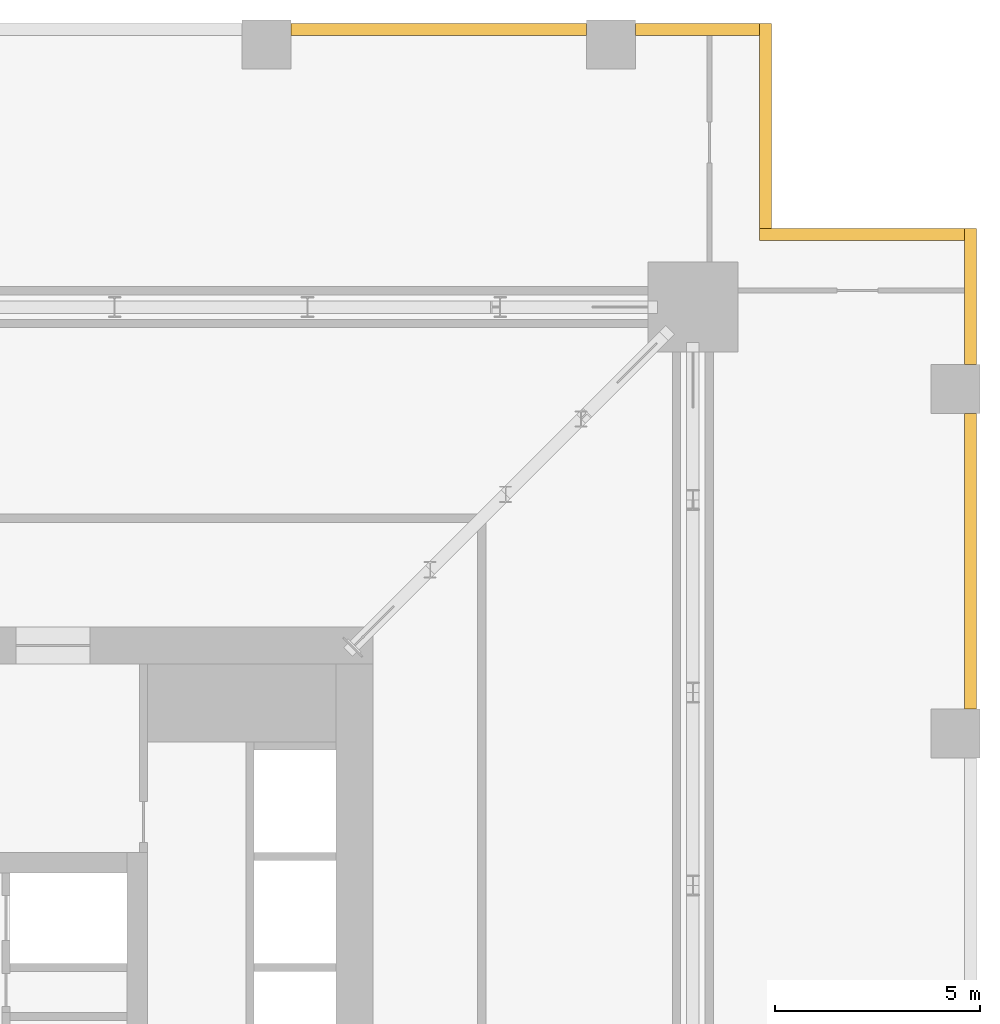
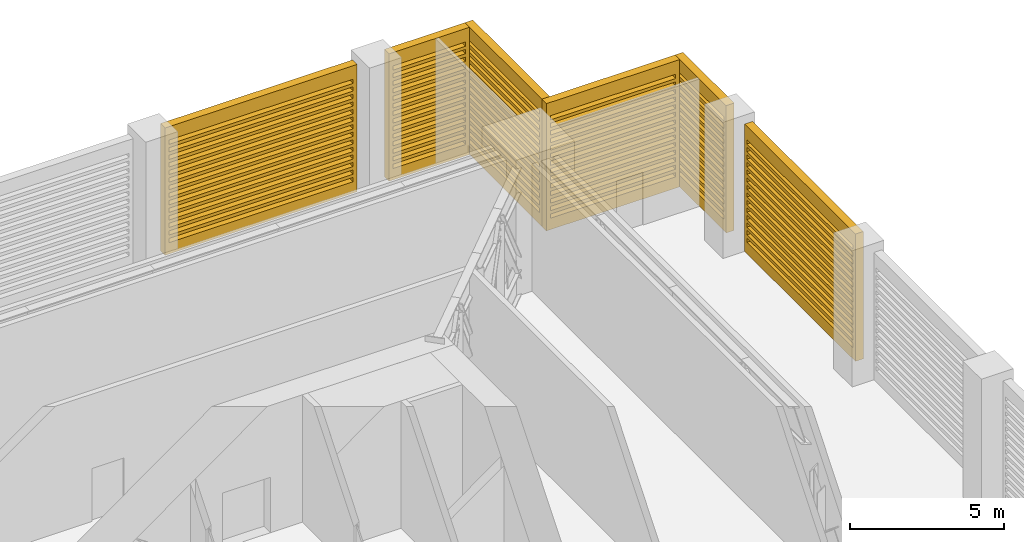
# One storey, part 16 of 16: 6 shading devices.
"""IFC4 building model written with IfcOpenShell, lengths in metres."""

from ifc_helpers import new_model, si_unit, direction, frame, origin, place, context, subcontext, project, spatial, polyline, outline, extrude, material, type_object, element, save


model = new_model("IFC4")

# Units and contexts
model_context = context("Model", 3, precision=1e-05, world=origin(), true_north=direction((0.0, 1.0)))
body_context = subcontext(model_context, "Body", "Model", "MODEL_VIEW")
ifc_project = project(units=[si_unit("LENGTHUNIT", "METRE"), si_unit("AREAUNIT", "SQUARE_METRE"), si_unit("VOLUMEUNIT", "CUBIC_METRE"), si_unit("PLANEANGLEUNIT", "RADIAN"), si_unit("MASSUNIT", "GRAM", prefix="KILO")], contexts=[model_context])

# Site, building, storey
site_placement = place(None, origin())
site = spatial("IfcSite", under=ifc_project, at=site_placement, CompositionType="ELEMENT")
building_placement = place(site_placement, origin())
building = spatial("IfcBuilding", under=site, at=building_placement, Name="Khepri Terraces", CompositionType="ELEMENT")
storey_placement = place(building_placement, frame((0.0, 0.0, 287.39990234375)))
storey = spatial("IfcBuildingStorey", under=building, at=storey_placement, Name="L69", CompositionType="ELEMENT", Elevation=287.39990234375)

# Shading devices
ifc_material = material(Name="Anodised aluminium bronze", Category="aluminium")
shading_device_type = type_object("IfcShadingDeviceType", Name="LVR-PLANT-300", PredefinedType="USERDEFINED", material=ifc_material)
shading_device_1_placement = place(storey_placement, frame((25.419921875, 9.0, 0.0), z_axis=(1.0, 0.0, 0.0), x_axis=(0.0, 1.0, 0.0)))
element("IfcShadingDevice", 1, at=shading_device_1_placement, inside=storey, type_object=shading_device_type, Name="Louvre wall L69 E", ObjectType="LOUVRE", PredefinedType="USERDEFINED", context=body_context, shape_type="SweptSolid", body=[
    extrude(outline(polyline([(0.0, 0.0), (7.199951171875, 0.0), (7.199951171875, 5.050048828125), (0.0, 5.050048828125), (0.0, 0.0)]), holes=[polyline([(0.14990234375, 0.449951171875), (7.050048828125, 0.449951171875), (7.050048828125, 0.6201171875), (0.14990234375, 0.6201171875), (0.14990234375, 0.449951171875)]), polyline([(0.14990234375, 0.75), (7.050048828125, 0.75), (7.050048828125, 0.919921875), (0.14990234375, 0.919921875), (0.14990234375, 0.75)]), polyline([(0.14990234375, 1.050048828125), (7.050048828125, 1.050048828125), (7.050048828125, 1.219970703125), (0.14990234375, 1.219970703125), (0.14990234375, 1.050048828125)]), polyline([(0.14990234375, 1.35009765625), (7.050048828125, 1.35009765625), (7.050048828125, 1.52001953125), (0.14990234375, 1.52001953125), (0.14990234375, 1.35009765625)]), polyline([(0.14990234375, 1.64990234375), (7.050048828125, 1.64990234375), (7.050048828125, 1.820068359375), (0.14990234375, 1.820068359375), (0.14990234375, 1.64990234375)]), polyline([(0.14990234375, 1.949951171875), (7.050048828125, 1.949951171875), (7.050048828125, 2.1201171875), (0.14990234375, 2.1201171875), (0.14990234375, 1.949951171875)]), polyline([(0.14990234375, 2.25), (7.050048828125, 2.25), (7.050048828125, 2.419921875), (0.14990234375, 2.419921875), (0.14990234375, 2.25)]), polyline([(0.14990234375, 2.550048828125), (7.050048828125, 2.550048828125), (7.050048828125, 2.719970703125), (0.14990234375, 2.719970703125), (0.14990234375, 2.550048828125)]), polyline([(0.14990234375, 2.85009765625), (7.050048828125, 2.85009765625), (7.050048828125, 3.02001953125), (0.14990234375, 3.02001953125), (0.14990234375, 2.85009765625)]), polyline([(0.14990234375, 3.14990234375), (7.050048828125, 3.14990234375), (7.050048828125, 3.320068359375), (0.14990234375, 3.320068359375), (0.14990234375, 3.14990234375)]), polyline([(0.14990234375, 3.449951171875), (7.050048828125, 3.449951171875), (7.050048828125, 3.6201171875), (0.14990234375, 3.6201171875), (0.14990234375, 3.449951171875)]), polyline([(0.14990234375, 3.75), (7.050048828125, 3.75), (7.050048828125, 3.919921875), (0.14990234375, 3.919921875), (0.14990234375, 3.75)]), polyline([(0.14990234375, 4.050048828125), (7.050048828125, 4.050048828125), (7.050048828125, 4.219970703125), (0.14990234375, 4.219970703125), (0.14990234375, 4.050048828125)]), polyline([(0.14990234375, 4.35009765625), (7.050048828125, 4.35009765625), (7.050048828125, 4.52001953125), (0.14990234375, 4.52001953125), (0.14990234375, 4.35009765625)])]), origin(), (0.0, 0.0, 1.0), 0.300048828125),
])
shading_device_2_placement = place(storey_placement, frame((25.419921875, 17.39990234375, 0.0), z_axis=(1.0, 0.0, 0.0), x_axis=(0.0, 1.0, 0.0)))
element("IfcShadingDevice", 2, at=shading_device_2_placement, inside=storey, type_object=shading_device_type, Name="Louvre wall L69 E", ObjectType="LOUVRE", PredefinedType="USERDEFINED", context=body_context, shape_type="SweptSolid", body=[
    extrude(outline(polyline([(0.0, 0.0), (3.320068359375, 0.0), (3.320068359375, 5.050048828125), (0.0, 5.050048828125), (0.0, 0.0)]), holes=[polyline([(0.14990234375, 0.449951171875), (3.169921875, 0.449951171875), (3.169921875, 0.6201171875), (0.14990234375, 0.6201171875), (0.14990234375, 0.449951171875)]), polyline([(0.14990234375, 0.75), (3.169921875, 0.75), (3.169921875, 0.919921875), (0.14990234375, 0.919921875), (0.14990234375, 0.75)]), polyline([(0.14990234375, 1.050048828125), (3.169921875, 1.050048828125), (3.169921875, 1.219970703125), (0.14990234375, 1.219970703125), (0.14990234375, 1.050048828125)]), polyline([(0.14990234375, 1.35009765625), (3.169921875, 1.35009765625), (3.169921875, 1.52001953125), (0.14990234375, 1.52001953125), (0.14990234375, 1.35009765625)]), polyline([(0.14990234375, 1.64990234375), (3.169921875, 1.64990234375), (3.169921875, 1.820068359375), (0.14990234375, 1.820068359375), (0.14990234375, 1.64990234375)]), polyline([(0.14990234375, 1.949951171875), (3.169921875, 1.949951171875), (3.169921875, 2.1201171875), (0.14990234375, 2.1201171875), (0.14990234375, 1.949951171875)]), polyline([(0.14990234375, 2.25), (3.169921875, 2.25), (3.169921875, 2.419921875), (0.14990234375, 2.419921875), (0.14990234375, 2.25)]), polyline([(0.14990234375, 2.550048828125), (3.169921875, 2.550048828125), (3.169921875, 2.719970703125), (0.14990234375, 2.719970703125), (0.14990234375, 2.550048828125)]), polyline([(0.14990234375, 2.85009765625), (3.169921875, 2.85009765625), (3.169921875, 3.02001953125), (0.14990234375, 3.02001953125), (0.14990234375, 2.85009765625)]), polyline([(0.14990234375, 3.14990234375), (3.169921875, 3.14990234375), (3.169921875, 3.320068359375), (0.14990234375, 3.320068359375), (0.14990234375, 3.14990234375)]), polyline([(0.14990234375, 3.449951171875), (3.169921875, 3.449951171875), (3.169921875, 3.6201171875), (0.14990234375, 3.6201171875), (0.14990234375, 3.449951171875)]), polyline([(0.14990234375, 3.75), (3.169921875, 3.75), (3.169921875, 3.919921875), (0.14990234375, 3.919921875), (0.14990234375, 3.75)]), polyline([(0.14990234375, 4.050048828125), (3.169921875, 4.050048828125), (3.169921875, 4.219970703125), (0.14990234375, 4.219970703125), (0.14990234375, 4.050048828125)]), polyline([(0.14990234375, 4.35009765625), (3.169921875, 4.35009765625), (3.169921875, 4.52001953125), (0.14990234375, 4.52001953125), (0.14990234375, 4.35009765625)])]), origin(), (0.0, 0.0, 1.0), 0.300048828125),
])
shading_device_3_placement = place(storey_placement, frame((25.419921875, 20.419921875, 0.0), z_axis=(0.0, 1.0, 0.0), x_axis=(-1.0, 0.0, 0.0)))
element("IfcShadingDevice", 3, at=shading_device_3_placement, inside=storey, type_object=shading_device_type, Name="Louvre wall L69 N", ObjectType="LOUVRE", PredefinedType="USERDEFINED", context=body_context, shape_type="SweptSolid", body=[
    extrude(outline(polyline([(0.0, 0.0), (5.0, 0.0), (5.0, 5.050048828125), (0.0, 5.050048828125), (0.0, 0.0)]), holes=[polyline([(0.14990234375, 0.449951171875), (4.85009765625, 0.449951171875), (4.85009765625, 0.6201171875), (0.14990234375, 0.6201171875), (0.14990234375, 0.449951171875)]), polyline([(0.14990234375, 0.75), (4.85009765625, 0.75), (4.85009765625, 0.919921875), (0.14990234375, 0.919921875), (0.14990234375, 0.75)]), polyline([(0.14990234375, 1.050048828125), (4.85009765625, 1.050048828125), (4.85009765625, 1.219970703125), (0.14990234375, 1.219970703125), (0.14990234375, 1.050048828125)]), polyline([(0.14990234375, 1.35009765625), (4.85009765625, 1.35009765625), (4.85009765625, 1.52001953125), (0.14990234375, 1.52001953125), (0.14990234375, 1.35009765625)]), polyline([(0.14990234375, 1.64990234375), (4.85009765625, 1.64990234375), (4.85009765625, 1.820068359375), (0.14990234375, 1.820068359375), (0.14990234375, 1.64990234375)]), polyline([(0.14990234375, 1.949951171875), (4.85009765625, 1.949951171875), (4.85009765625, 2.1201171875), (0.14990234375, 2.1201171875), (0.14990234375, 1.949951171875)]), polyline([(0.14990234375, 2.25), (4.85009765625, 2.25), (4.85009765625, 2.419921875), (0.14990234375, 2.419921875), (0.14990234375, 2.25)]), polyline([(0.14990234375, 2.550048828125), (4.85009765625, 2.550048828125), (4.85009765625, 2.719970703125), (0.14990234375, 2.719970703125), (0.14990234375, 2.550048828125)]), polyline([(0.14990234375, 2.85009765625), (4.85009765625, 2.85009765625), (4.85009765625, 3.02001953125), (0.14990234375, 3.02001953125), (0.14990234375, 2.85009765625)]), polyline([(0.14990234375, 3.14990234375), (4.85009765625, 3.14990234375), (4.85009765625, 3.320068359375), (0.14990234375, 3.320068359375), (0.14990234375, 3.14990234375)]), polyline([(0.14990234375, 3.449951171875), (4.85009765625, 3.449951171875), (4.85009765625, 3.6201171875), (0.14990234375, 3.6201171875), (0.14990234375, 3.449951171875)]), polyline([(0.14990234375, 3.75), (4.85009765625, 3.75), (4.85009765625, 3.919921875), (0.14990234375, 3.919921875), (0.14990234375, 3.75)]), polyline([(0.14990234375, 4.050048828125), (4.85009765625, 4.050048828125), (4.85009765625, 4.219970703125), (0.14990234375, 4.219970703125), (0.14990234375, 4.050048828125)]), polyline([(0.14990234375, 4.35009765625), (4.85009765625, 4.35009765625), (4.85009765625, 4.52001953125), (0.14990234375, 4.52001953125), (0.14990234375, 4.35009765625)])]), origin(), (0.0, 0.0, 1.0), 0.300048828125),
])
shading_device_4_placement = place(storey_placement, frame((20.419921875, 20.719970703125, 0.0), z_axis=(1.0, 0.0, 0.0), x_axis=(0.0, 1.0, 0.0)))
element("IfcShadingDevice", 4, at=shading_device_4_placement, inside=storey, type_object=shading_device_type, Name="Louvre wall L69 E", ObjectType="LOUVRE", PredefinedType="USERDEFINED", context=body_context, shape_type="SweptSolid", body=[
    extrude(outline(polyline([(0.0, 0.0), (5.0, 0.0), (5.0, 5.050048828125), (0.0, 5.050048828125), (0.0, 0.0)]), holes=[polyline([(0.14990234375, 0.449951171875), (4.85009765625, 0.449951171875), (4.85009765625, 0.6201171875), (0.14990234375, 0.6201171875), (0.14990234375, 0.449951171875)]), polyline([(0.14990234375, 0.75), (4.85009765625, 0.75), (4.85009765625, 0.919921875), (0.14990234375, 0.919921875), (0.14990234375, 0.75)]), polyline([(0.14990234375, 1.050048828125), (4.85009765625, 1.050048828125), (4.85009765625, 1.219970703125), (0.14990234375, 1.219970703125), (0.14990234375, 1.050048828125)]), polyline([(0.14990234375, 1.35009765625), (4.85009765625, 1.35009765625), (4.85009765625, 1.52001953125), (0.14990234375, 1.52001953125), (0.14990234375, 1.35009765625)]), polyline([(0.14990234375, 1.64990234375), (4.85009765625, 1.64990234375), (4.85009765625, 1.820068359375), (0.14990234375, 1.820068359375), (0.14990234375, 1.64990234375)]), polyline([(0.14990234375, 1.949951171875), (4.85009765625, 1.949951171875), (4.85009765625, 2.1201171875), (0.14990234375, 2.1201171875), (0.14990234375, 1.949951171875)]), polyline([(0.14990234375, 2.25), (4.85009765625, 2.25), (4.85009765625, 2.419921875), (0.14990234375, 2.419921875), (0.14990234375, 2.25)]), polyline([(0.14990234375, 2.550048828125), (4.85009765625, 2.550048828125), (4.85009765625, 2.719970703125), (0.14990234375, 2.719970703125), (0.14990234375, 2.550048828125)]), polyline([(0.14990234375, 2.85009765625), (4.85009765625, 2.85009765625), (4.85009765625, 3.02001953125), (0.14990234375, 3.02001953125), (0.14990234375, 2.85009765625)]), polyline([(0.14990234375, 3.14990234375), (4.85009765625, 3.14990234375), (4.85009765625, 3.320068359375), (0.14990234375, 3.320068359375), (0.14990234375, 3.14990234375)]), polyline([(0.14990234375, 3.449951171875), (4.85009765625, 3.449951171875), (4.85009765625, 3.6201171875), (0.14990234375, 3.6201171875), (0.14990234375, 3.449951171875)]), polyline([(0.14990234375, 3.75), (4.85009765625, 3.75), (4.85009765625, 3.919921875), (0.14990234375, 3.919921875), (0.14990234375, 3.75)]), polyline([(0.14990234375, 4.050048828125), (4.85009765625, 4.050048828125), (4.85009765625, 4.219970703125), (0.14990234375, 4.219970703125), (0.14990234375, 4.050048828125)]), polyline([(0.14990234375, 4.35009765625), (4.85009765625, 4.35009765625), (4.85009765625, 4.52001953125), (0.14990234375, 4.52001953125), (0.14990234375, 4.35009765625)])]), origin(), (0.0, 0.0, 1.0), 0.300048828125),
])
shading_device_5_placement = place(storey_placement, frame((20.419921875, 25.419921875, 0.0), z_axis=(0.0, 1.0, 0.0), x_axis=(-1.0, 0.0, 0.0)))
element("IfcShadingDevice", 5, at=shading_device_5_placement, inside=storey, type_object=shading_device_type, Name="Louvre wall L69 N", ObjectType="LOUVRE", PredefinedType="USERDEFINED", context=body_context, shape_type="SweptSolid", body=[
    extrude(outline(polyline([(0.0, 0.0), (3.02001953125, 0.0), (3.02001953125, 5.050048828125), (0.0, 5.050048828125), (0.0, 0.0)]), holes=[polyline([(0.14990234375, 0.449951171875), (2.8701171875, 0.449951171875), (2.8701171875, 0.6201171875), (0.14990234375, 0.6201171875), (0.14990234375, 0.449951171875)]), polyline([(0.14990234375, 0.75), (2.8701171875, 0.75), (2.8701171875, 0.919921875), (0.14990234375, 0.919921875), (0.14990234375, 0.75)]), polyline([(0.14990234375, 1.050048828125), (2.8701171875, 1.050048828125), (2.8701171875, 1.219970703125), (0.14990234375, 1.219970703125), (0.14990234375, 1.050048828125)]), polyline([(0.14990234375, 1.35009765625), (2.8701171875, 1.35009765625), (2.8701171875, 1.52001953125), (0.14990234375, 1.52001953125), (0.14990234375, 1.35009765625)]), polyline([(0.14990234375, 1.64990234375), (2.8701171875, 1.64990234375), (2.8701171875, 1.820068359375), (0.14990234375, 1.820068359375), (0.14990234375, 1.64990234375)]), polyline([(0.14990234375, 1.949951171875), (2.8701171875, 1.949951171875), (2.8701171875, 2.1201171875), (0.14990234375, 2.1201171875), (0.14990234375, 1.949951171875)]), polyline([(0.14990234375, 2.25), (2.8701171875, 2.25), (2.8701171875, 2.419921875), (0.14990234375, 2.419921875), (0.14990234375, 2.25)]), polyline([(0.14990234375, 2.550048828125), (2.8701171875, 2.550048828125), (2.8701171875, 2.719970703125), (0.14990234375, 2.719970703125), (0.14990234375, 2.550048828125)]), polyline([(0.14990234375, 2.85009765625), (2.8701171875, 2.85009765625), (2.8701171875, 3.02001953125), (0.14990234375, 3.02001953125), (0.14990234375, 2.85009765625)]), polyline([(0.14990234375, 3.14990234375), (2.8701171875, 3.14990234375), (2.8701171875, 3.320068359375), (0.14990234375, 3.320068359375), (0.14990234375, 3.14990234375)]), polyline([(0.14990234375, 3.449951171875), (2.8701171875, 3.449951171875), (2.8701171875, 3.6201171875), (0.14990234375, 3.6201171875), (0.14990234375, 3.449951171875)]), polyline([(0.14990234375, 3.75), (2.8701171875, 3.75), (2.8701171875, 3.919921875), (0.14990234375, 3.919921875), (0.14990234375, 3.75)]), polyline([(0.14990234375, 4.050048828125), (2.8701171875, 4.050048828125), (2.8701171875, 4.219970703125), (0.14990234375, 4.219970703125), (0.14990234375, 4.050048828125)]), polyline([(0.14990234375, 4.35009765625), (2.8701171875, 4.35009765625), (2.8701171875, 4.52001953125), (0.14990234375, 4.52001953125), (0.14990234375, 4.35009765625)])]), origin(), (0.0, 0.0, 1.0), 0.300048828125),
])
shading_device_6_placement = place(storey_placement, frame((16.199951171875, 25.419921875, 0.0), z_axis=(0.0, 1.0, 0.0), x_axis=(-1.0, 0.0, 0.0)))
element("IfcShadingDevice", 6, at=shading_device_6_placement, inside=storey, type_object=shading_device_type, Name="Louvre wall L69 N", ObjectType="LOUVRE", PredefinedType="USERDEFINED", context=body_context, shape_type="SweptSolid", body=[
    extrude(outline(polyline([(0.0, 0.0), (7.199951171875, 0.0), (7.199951171875, 5.050048828125), (0.0, 5.050048828125), (0.0, 0.0)]), holes=[polyline([(0.14990234375, 0.449951171875), (7.050048828125, 0.449951171875), (7.050048828125, 0.6201171875), (0.14990234375, 0.6201171875), (0.14990234375, 0.449951171875)]), polyline([(0.14990234375, 0.75), (7.050048828125, 0.75), (7.050048828125, 0.919921875), (0.14990234375, 0.919921875), (0.14990234375, 0.75)]), polyline([(0.14990234375, 1.050048828125), (7.050048828125, 1.050048828125), (7.050048828125, 1.219970703125), (0.14990234375, 1.219970703125), (0.14990234375, 1.050048828125)]), polyline([(0.14990234375, 1.35009765625), (7.050048828125, 1.35009765625), (7.050048828125, 1.52001953125), (0.14990234375, 1.52001953125), (0.14990234375, 1.35009765625)]), polyline([(0.14990234375, 1.64990234375), (7.050048828125, 1.64990234375), (7.050048828125, 1.820068359375), (0.14990234375, 1.820068359375), (0.14990234375, 1.64990234375)]), polyline([(0.14990234375, 1.949951171875), (7.050048828125, 1.949951171875), (7.050048828125, 2.1201171875), (0.14990234375, 2.1201171875), (0.14990234375, 1.949951171875)]), polyline([(0.14990234375, 2.25), (7.050048828125, 2.25), (7.050048828125, 2.419921875), (0.14990234375, 2.419921875), (0.14990234375, 2.25)]), polyline([(0.14990234375, 2.550048828125), (7.050048828125, 2.550048828125), (7.050048828125, 2.719970703125), (0.14990234375, 2.719970703125), (0.14990234375, 2.550048828125)]), polyline([(0.14990234375, 2.85009765625), (7.050048828125, 2.85009765625), (7.050048828125, 3.02001953125), (0.14990234375, 3.02001953125), (0.14990234375, 2.85009765625)]), polyline([(0.14990234375, 3.14990234375), (7.050048828125, 3.14990234375), (7.050048828125, 3.320068359375), (0.14990234375, 3.320068359375), (0.14990234375, 3.14990234375)]), polyline([(0.14990234375, 3.449951171875), (7.050048828125, 3.449951171875), (7.050048828125, 3.6201171875), (0.14990234375, 3.6201171875), (0.14990234375, 3.449951171875)]), polyline([(0.14990234375, 3.75), (7.050048828125, 3.75), (7.050048828125, 3.919921875), (0.14990234375, 3.919921875), (0.14990234375, 3.75)]), polyline([(0.14990234375, 4.050048828125), (7.050048828125, 4.050048828125), (7.050048828125, 4.219970703125), (0.14990234375, 4.219970703125), (0.14990234375, 4.050048828125)]), polyline([(0.14990234375, 4.35009765625), (7.050048828125, 4.35009765625), (7.050048828125, 4.52001953125), (0.14990234375, 4.52001953125), (0.14990234375, 4.35009765625)])]), origin(), (0.0, 0.0, 1.0), 0.300048828125),
])

save(model, "model.ifc")
